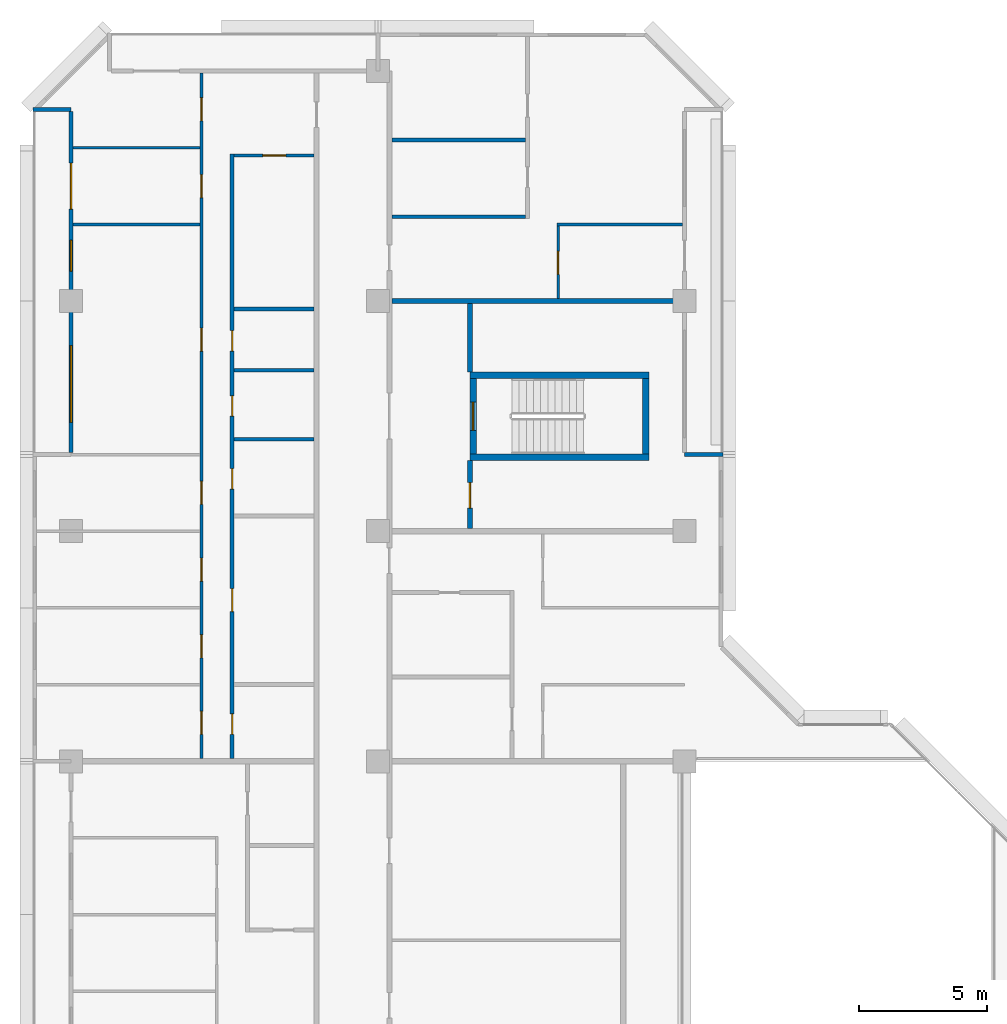
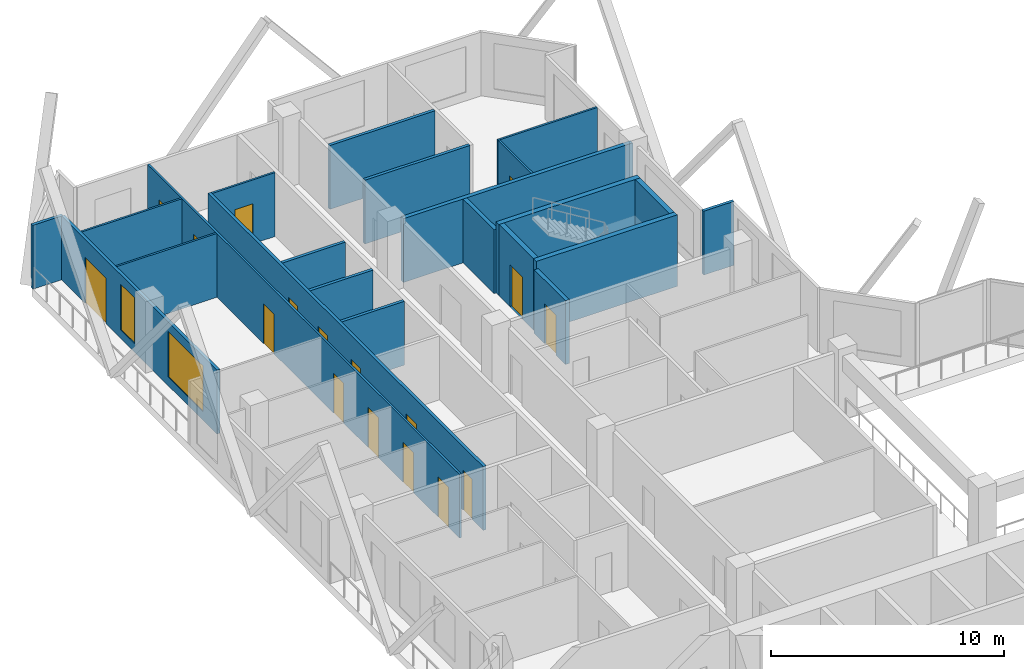
# One storey, part 10 of 14: 22 walls, 17 doors, 2 windows, 19 openings.
"""IFC4 building model written with IfcOpenShell, lengths in metres."""

from ifc_helpers import new_model, si_unit, direction, frame, frame_2d, origin, place, context, subcontext, project, spatial, rectangle, extrude, material, layer, layer_set, type_object, element, fill, save


model = new_model("IFC4")

# Units and contexts
model_context = context("Model", 3, precision=1e-05, world=origin(), true_north=direction((0.0, 1.0)))
body_context = subcontext(model_context, "Body", "Model", "MODEL_VIEW")
ifc_project = project(units=[si_unit("LENGTHUNIT", "METRE"), si_unit("AREAUNIT", "SQUARE_METRE"), si_unit("VOLUMEUNIT", "CUBIC_METRE"), si_unit("PLANEANGLEUNIT", "RADIAN"), si_unit("MASSUNIT", "GRAM", prefix="KILO")], contexts=[model_context])

# Site, building, storey
site_placement = place(None, origin())
site = spatial("IfcSite", under=ifc_project, at=site_placement, CompositionType="ELEMENT")
building_placement = place(site_placement, origin())
building = spatial("IfcBuilding", under=site, at=building_placement, Name="Chenar Terraces", CompositionType="ELEMENT")
storey_placement = place(building_placement, frame((0.0, 0.0, 157.39990234375)))
storey = spatial("IfcBuildingStorey", under=building, at=storey_placement, Name="L35", CompositionType="ELEMENT", Elevation=157.39990234375)

# Walls
ifc_material_1 = material(Name="Concrete C60/75", Category="concrete")
ifc_layer_1 = layer(ifc_material_1, 0.25)
ifc_layer_set_1 = layer_set([ifc_layer_1], Name="Concrete C60/75")
wall_type_1 = type_object("IfcWallType", Name="Core wall 250 Concrete C60/75", PredefinedType="SHEAR", material=ifc_layer_set_1)
for number, where, z_axis, x_axis, name in (
    (1, (15.60009765625, 47.89990234375, 0.0), (0.0, 0.0, 1.0), (1.0, 0.0, 0.0), "Core wall ST4_S L35"),
    (2, (15.60009765625, 51.10009765625, 0.0), (0.0, 0.0, 1.0), (1.0, 0.0, 0.0), "Core wall ST4_N L35"),
):
    element("IfcWall", number, at=place(storey_placement, frame(where, z_axis=z_axis, x_axis=x_axis)), inside=storey, type_object=wall_type_1, Name=name, PredefinedType="SHEAR", context=body_context, shape_type="SweptSolid", body=[
        extrude(rectangle(XDim=7.0, YDim=0.25, at=frame_2d((3.5, 0.0))), origin(), (0.0, 0.0, 1.0), 3.75),
    ])

# Wall, opening, door
wall_1_placement = place(storey_placement, frame((15.72509765625, 48.02490234375, 0.0), z_axis=(0.0, 0.0, 1.0), x_axis=(0.0, 1.0, 0.0)))
wall_1 = element("IfcWall", 3, at=wall_1_placement, inside=storey, type_object=wall_type_1, Name="Core wall ST4_W L35", PredefinedType="SHEAR", context=body_context, shape_type="SweptSolid", body=[
    extrude(rectangle(XDim=2.9501953125, YDim=0.25, at=frame_2d((1.47509765625, 0.0))), origin(), (0.0, 0.0, 1.0), 3.75),
])
opening_1_placement = place(wall_1_placement, frame((0.925048828125, 0.0, 0.0)))
opening_1 = element("IfcOpeningElement", 4, at=opening_1_placement, cuts=wall_1, Name="Opening DL35-C9", PredefinedType="OPENING", context=body_context, shape_type="SweptSolid", body=[
    extrude(rectangle(XDim=1.10009765625, YDim=2.199951171875, at=frame_2d((0.550048828125, 1.10009765625))), frame((0.0, 0.135009765625, 0.0), z_axis=(0.0, -1.0, 0.0), x_axis=(1.0, 0.0, 0.0)), (0.0, 0.0, 1.0), 0.27001953125),
])
ifc_material_2 = material(Name="Steel-framed fire-resisting door leaf", Category="steel")
door_type_1 = type_object("IfcDoorType", Name="Stair fire door FD60 1100 x 2200", OperationType="SINGLE_SWING_LEFT", PredefinedType="DOOR", material=ifc_material_2)
door_1_placement = place(opening_1_placement, frame((1.10009765625, 0.0, 0.0), z_axis=(0.0, 0.0, 1.0), x_axis=(-1.0, 0.0, 0.0)))
door_1 = element("IfcDoor", 5, at=door_1_placement, inside=storey, type_object=door_type_1, Name="Stair door DL35-C9", OperationType="SINGLE_SWING_RIGHT", OverallHeight=2.199951171875, OverallWidth=1.10009765625, PredefinedType="DOOR", context=body_context, shape_type="SweptSolid", body=[
    extrude(rectangle(XDim=1.10009765625, YDim=2.199951171875, at=frame_2d((0.550048828125, 1.10009765625))), frame((0.0, 0.02490234375, 0.0), z_axis=(0.0, -1.0, 0.0), x_axis=(1.0, 0.0, 0.0)), (0.0, 0.0, 1.0), 0.050048828125),
])
fill(opening_1, door_1)

# Wall
wall_2_placement = place(storey_placement, frame((22.47509765625, 48.02490234375, 0.0), z_axis=(0.0, 0.0, 1.0), x_axis=(0.0, 1.0, 0.0)))
element("IfcWall", 6, at=wall_2_placement, inside=storey, type_object=wall_type_1, Name="Core wall ST4_E L35", PredefinedType="SHEAR", context=body_context, shape_type="SweptSolid", body=[
    extrude(rectangle(XDim=2.9501953125, YDim=0.25, at=frame_2d((1.47509765625, 0.0))), origin(), (0.0, 0.0, 1.0), 3.75),
])

# Wall, opening, door
ifc_material_3 = material(Name="Gypsum board on steel studs with fire boards", Category="steel")
ifc_layer_2 = layer(ifc_material_3, 0.199951171875)
ifc_layer_set_2 = layer_set([ifc_layer_2], Name="Gypsum board on steel studs with fire boards")
wall_type_2 = type_object("IfcWallType", Name="Corridor wall 200", PredefinedType="PARTITIONING", material=ifc_layer_set_2)
wall_3_placement = place(storey_placement, frame((15.60009765625, 45.10009765625, 0.0), z_axis=(0.0, 0.0, 1.0), x_axis=(0.0, 1.0, 0.0)))
wall_3 = element("IfcWall", 7, at=wall_3_placement, inside=storey, type_object=wall_type_2, Name="Partition L35-042", PredefinedType="PARTITIONING", context=body_context, shape_type="SweptSolid", body=[
    extrude(rectangle(XDim=2.6748046875, YDim=0.199951171875, at=frame_2d((1.33740234375, 0.0))), origin(), (0.0, 0.0, 1.0), 3.35009765625),
])
opening_2_placement = place(wall_3_placement, frame((0.800048828125, 0.0, 0.0)))
opening_2 = element("IfcOpeningElement", 8, at=opening_2_placement, cuts=wall_3, Name="Opening DL35-40", PredefinedType="OPENING", context=body_context, shape_type="SweptSolid", body=[
    extrude(rectangle(XDim=1.0, YDim=2.10009765625, at=frame_2d((0.5, 1.050048828125))), frame((0.0, 0.10986328125, 0.0), z_axis=(0.0, -1.0, 0.0), x_axis=(1.0, 0.0, 0.0)), (0.0, 0.0, 1.0), 0.219970703125),
])
ifc_material_4 = material(Name="Steel-framed fire-resisting door leaf", Category="steel")
door_type_2 = type_object("IfcDoorType", Name="Fire door FD60 1000 x 2100", OperationType="SINGLE_SWING_LEFT", PredefinedType="DOOR", material=ifc_material_4)
door_2_placement = place(opening_2_placement, frame((1.0, 0.0, 0.0), z_axis=(0.0, 0.0, 1.0), x_axis=(-1.0, 0.0, 0.0)))
door_2 = element("IfcDoor", 9, at=door_2_placement, inside=storey, type_object=door_type_2, Name="Door DL35-40", OperationType="SINGLE_SWING_RIGHT", OverallHeight=2.10009765625, OverallWidth=1.0, PredefinedType="DOOR", context=body_context, shape_type="SweptSolid", body=[
    extrude(rectangle(XDim=1.0, YDim=2.10009765625, at=frame_2d((0.5, 1.050048828125))), frame((0.0, 0.02490234375, 0.0), z_axis=(0.0, -1.0, 0.0), x_axis=(1.0, 0.0, 0.0)), (0.0, 0.0, 1.0), 0.050048828125),
])
fill(opening_2, door_2)

# Wall
wall_4_placement = place(storey_placement, frame((15.60009765625, 51.22509765625, 0.0), z_axis=(0.0, 0.0, 1.0), x_axis=(0.0, 1.0, 0.0)))
element("IfcWall", 10, at=wall_4_placement, inside=storey, type_object=wall_type_2, Name="Partition L35-043", PredefinedType="PARTITIONING", context=body_context, shape_type="SweptSolid", body=[
    extrude(rectangle(XDim=2.6748046875, YDim=0.199951171875, at=frame_2d((1.33740234375, 0.0))), origin(), (0.0, 0.0, 1.0), 3.35009765625),
])

# Wall, openings, windows, door
ifc_material_5 = material(Name="Aluminium framed glazing", Category="aluminium")
ifc_layer_3 = layer(ifc_material_5, 0.14990234375)
ifc_layer_set_3 = layer_set([ifc_layer_3], Name="Aluminium framed glazing")
wall_type_3 = type_object("IfcWallType", Name="Glazed loggia back wall 150", PredefinedType="SOLIDWALL", material=ifc_layer_set_3)
wall_5_placement = place(storey_placement, frame((0.0, 61.425048828125, 0.0), z_axis=(0.0, 0.0, 1.0), x_axis=(0.0, -1.0, 0.0)))
wall_5 = element("IfcWall", 11, at=wall_5_placement, inside=storey, type_object=wall_type_3, Name="Glazed loggia back wall", PredefinedType="SOLIDWALL", context=body_context, shape_type="SweptSolid", body=[
    extrude(rectangle(XDim=13.35009765625, YDim=0.14990234375, at=frame_2d((6.675048828125, 0.0))), origin(), (0.0, 0.0, 1.0), 3.35009765625),
])
opening_3_placement = place(wall_5_placement, frame((2.02490234375, 0.0, 0.0)))
opening_3 = element("IfcOpeningElement", 12, at=opening_3_placement, cuts=wall_5, Name="Opening DL35-G4", PredefinedType="OPENING", context=body_context, shape_type="SweptSolid", body=[
    extrude(rectangle(XDim=1.800048828125, YDim=2.39990234375, at=frame_2d((0.89990234375, 1.199951171875))), frame((0.0, 0.0849609375, 0.0), z_axis=(0.0, -1.0, 0.0), x_axis=(1.0, 0.0, 0.0)), (0.0, 0.0, 1.0), 0.169921875),
])
opening_4_placement = place(wall_5_placement, frame((5.050048828125, 0.0, 0.449951171875)))
opening_4 = element("IfcOpeningElement", 13, at=opening_4_placement, cuts=wall_5, Name="Opening W120x240", PredefinedType="OPENING", context=body_context, shape_type="SweptSolid", body=[
    extrude(rectangle(XDim=1.199951171875, YDim=2.39990234375, at=frame_2d((0.60009765625, 1.199951171875))), frame((0.0, 0.0849609375, 0.0), z_axis=(0.0, -1.0, 0.0), x_axis=(1.0, 0.0, 0.0)), (0.0, 0.0, 1.0), 0.169921875),
])
opening_5_placement = place(wall_5_placement, frame((9.16259765625, 0.0, 0.449951171875)))
opening_5 = element("IfcOpeningElement", 14, at=opening_5_placement, cuts=wall_5, Name="Opening W300x240", PredefinedType="OPENING", context=body_context, shape_type="SweptSolid", body=[
    extrude(rectangle(XDim=3.0, YDim=2.39990234375, at=frame_2d((1.5, 1.199951171875))), frame((0.0, 0.0849609375, 0.0), z_axis=(0.0, -1.0, 0.0), x_axis=(1.0, 0.0, 0.0)), (0.0, 0.0, 1.0), 0.169921875),
])
ifc_material_6 = material(Name="Low emissivity double glazing, aluminium frame", Category="aluminium")
window_type_1 = type_object("IfcWindowType", Name="Fixed light 1200 x 2400", PartitioningType="SINGLE_PANEL", PredefinedType="WINDOW", material=ifc_material_6)
window_1_placement = place(opening_4_placement, origin())
window_1 = element("IfcWindow", 15, at=window_1_placement, inside=storey, type_object=window_type_1, Name="Window", OverallHeight=2.39990234375, OverallWidth=1.199951171875, PartitioningType="SINGLE_PANEL", PredefinedType="WINDOW", context=body_context, shape_type="SweptSolid", body=[
    extrude(rectangle(XDim=1.199951171875, YDim=2.39990234375, at=frame_2d((0.60009765625, 1.199951171875))), frame((0.0, 0.030029296875, 0.0), z_axis=(0.0, -1.0, 0.0), x_axis=(1.0, 0.0, 0.0)), (0.0, 0.0, 1.0), 0.06005859375),
])
fill(opening_4, window_1)
ifc_material_7 = material(Name="Low emissivity double glazing, aluminium frame", Category="aluminium")
window_type_2 = type_object("IfcWindowType", Name="Fixed light 3000 x 2400", PartitioningType="SINGLE_PANEL", PredefinedType="WINDOW", material=ifc_material_7)
window_2_placement = place(opening_5_placement, origin())
window_2 = element("IfcWindow", 16, at=window_2_placement, inside=storey, type_object=window_type_2, Name="Window", OverallHeight=2.39990234375, OverallWidth=3.0, PartitioningType="SINGLE_PANEL", PredefinedType="WINDOW", context=body_context, shape_type="SweptSolid", body=[
    extrude(rectangle(XDim=3.0, YDim=2.39990234375, at=frame_2d((1.5, 1.199951171875))), frame((0.0, 0.030029296875, 0.0), z_axis=(0.0, -1.0, 0.0), x_axis=(1.0, 0.0, 0.0)), (0.0, 0.0, 1.0), 0.06005859375),
])
fill(opening_5, window_2)
ifc_material_8 = material(Name="Low emissivity double glazing, aluminium frame", Category="aluminium")
door_type_3 = type_object("IfcDoorType", Name="Loggia glazed double door 1800 x 2400", OperationType="DOUBLE_DOOR_SINGLE_SWING", PredefinedType="DOOR", material=ifc_material_8)
door_3_placement = place(opening_3_placement, frame((1.800048828125, 0.0, 0.0), z_axis=(0.0, 0.0, 1.0), x_axis=(-1.0, 0.0, 0.0)))
door_3 = element("IfcDoor", 17, at=door_3_placement, inside=storey, type_object=door_type_3, Name="Loggia glazed door", OperationType="DOUBLE_DOOR_SINGLE_SWING", OverallHeight=2.39990234375, OverallWidth=1.800048828125, PredefinedType="DOOR", context=body_context, shape_type="SweptSolid", body=[
    extrude(rectangle(XDim=1.800048828125, YDim=2.39990234375, at=frame_2d((0.89990234375, 1.199951171875))), frame((0.0, 0.02490234375, 0.0), z_axis=(0.0, -1.0, 0.0), x_axis=(1.0, 0.0, 0.0)), (0.0, 0.0, 1.0), 0.050048828125),
])
fill(opening_3, door_3)

# Walls
ifc_material_9 = material(Name="Gypsum board on steel studs", Category="steel")
ifc_layer_4 = layer(ifc_material_9, 0.10009765625)
ifc_layer_set_4 = layer_set([ifc_layer_4], Name="Gypsum board on steel studs")
wall_type_4 = type_object("IfcWallType", Name="Gypsum partition 100", PredefinedType="PARTITIONING", material=ifc_layer_set_4)
for number, where, z_axis, x_axis, name in (
    (18, (0.073974609375, 57.0, 0.0), (0.0, 0.0, 1.0), (1.0, 0.0, 0.0), "Partition L35-011"),
    (19, (0.073974609375, 60.0, 0.0), (0.0, 0.0, 1.0), (1.0, 0.0, 0.0), "Partition L35-012"),
):
    element("IfcWall", number, at=place(storey_placement, frame(where, z_axis=z_axis, x_axis=x_axis)), inside=storey, type_object=wall_type_4, Name=name, PredefinedType="PARTITIONING", context=body_context, shape_type="SweptSolid", body=[
        extrude(rectangle(XDim=4.97607421875, YDim=0.10009765625, at=frame_2d((2.488037109375, 0.0))), origin(), (0.0, 0.0, 1.0), 3.35009765625),
    ])

# Wall, openings, doors
wall_6_placement = place(storey_placement, frame((5.10009765625, 36.10009765625, 0.0), z_axis=(0.0, 0.0, 1.0), x_axis=(0.0, 1.0, 0.0)))
wall_6 = element("IfcWall", 20, at=wall_6_placement, inside=storey, type_object=wall_type_4, Name="Partition L35-014", PredefinedType="PARTITIONING", context=body_context, shape_type="SweptSolid", body=[
    extrude(rectangle(XDim=26.825927734375, YDim=0.10009765625, at=frame_2d((13.4130859375, 0.0))), origin(), (0.0, 0.0, 1.0), 3.35009765625),
])
opening_6_placement = place(wall_6_placement, frame((0.949951171875, 0.0, 0.0)))
opening_6 = element("IfcOpeningElement", 21, at=opening_6_placement, cuts=wall_6, Name="Opening DL35-22", PredefinedType="OPENING", context=body_context, shape_type="SweptSolid", body=[
    extrude(rectangle(XDim=0.89990234375, YDim=2.10009765625, at=frame_2d((0.449951171875, 1.050048828125))), frame((0.0, 0.06005859375, 0.0), z_axis=(0.0, -1.0, 0.0), x_axis=(1.0, 0.0, 0.0)), (0.0, 0.0, 1.0), 0.1201171875),
])
opening_7_placement = place(wall_6_placement, frame((3.949951171875, 0.0, 0.0)))
opening_7 = element("IfcOpeningElement", 22, at=opening_7_placement, cuts=wall_6, Name="Opening DL35-23", PredefinedType="OPENING", context=body_context, shape_type="SweptSolid", body=[
    extrude(rectangle(XDim=0.89990234375, YDim=2.10009765625, at=frame_2d((0.449951171875, 1.050048828125))), frame((0.0, 0.06005859375, 0.0), z_axis=(0.0, -1.0, 0.0), x_axis=(1.0, 0.0, 0.0)), (0.0, 0.0, 1.0), 0.1201171875),
])
opening_8_placement = place(wall_6_placement, frame((6.949951171875, 0.0, 0.0)))
opening_8 = element("IfcOpeningElement", 23, at=opening_8_placement, cuts=wall_6, Name="Opening DL35-24", PredefinedType="OPENING", context=body_context, shape_type="SweptSolid", body=[
    extrude(rectangle(XDim=0.89990234375, YDim=2.10009765625, at=frame_2d((0.449951171875, 1.050048828125))), frame((0.0, 0.06005859375, 0.0), z_axis=(0.0, -1.0, 0.0), x_axis=(1.0, 0.0, 0.0)), (0.0, 0.0, 1.0), 0.1201171875),
])
opening_9_placement = place(wall_6_placement, frame((9.949951171875, 0.0, 0.0)))
opening_9 = element("IfcOpeningElement", 24, at=opening_9_placement, cuts=wall_6, Name="Opening DL35-25", PredefinedType="OPENING", context=body_context, shape_type="SweptSolid", body=[
    extrude(rectangle(XDim=0.89990234375, YDim=2.10009765625, at=frame_2d((0.449951171875, 1.050048828125))), frame((0.0, 0.06005859375, 0.0), z_axis=(0.0, -1.0, 0.0), x_axis=(1.0, 0.0, 0.0)), (0.0, 0.0, 1.0), 0.1201171875),
])
opening_10_placement = place(wall_6_placement, frame((21.949951171875, 0.0, 0.0)))
opening_10 = element("IfcOpeningElement", 25, at=opening_10_placement, cuts=wall_6, Name="Opening DL35-26", PredefinedType="OPENING", context=body_context, shape_type="SweptSolid", body=[
    extrude(rectangle(XDim=0.89990234375, YDim=2.10009765625, at=frame_2d((0.449951171875, 1.050048828125))), frame((0.0, 0.06005859375, 0.0), z_axis=(0.0, -1.0, 0.0), x_axis=(1.0, 0.0, 0.0)), (0.0, 0.0, 1.0), 0.1201171875),
])
opening_11_placement = place(wall_6_placement, frame((15.949951171875, 0.0, 0.0)))
opening_11 = element("IfcOpeningElement", 26, at=opening_11_placement, cuts=wall_6, Name="Opening DL35-31", PredefinedType="OPENING", context=body_context, shape_type="SweptSolid", body=[
    extrude(rectangle(XDim=0.89990234375, YDim=2.10009765625, at=frame_2d((0.449951171875, 1.050048828125))), frame((0.0, 0.06005859375, 0.0), z_axis=(0.0, -1.0, 0.0), x_axis=(1.0, 0.0, 0.0)), (0.0, 0.0, 1.0), 0.1201171875),
])
opening_12_placement = place(wall_6_placement, frame((24.949951171875, 0.0, 0.0)))
opening_12 = element("IfcOpeningElement", 27, at=opening_12_placement, cuts=wall_6, Name="Opening DL35-32", PredefinedType="OPENING", context=body_context, shape_type="SweptSolid", body=[
    extrude(rectangle(XDim=0.89990234375, YDim=2.10009765625, at=frame_2d((0.449951171875, 1.050048828125))), frame((0.0, 0.06005859375, 0.0), z_axis=(0.0, -1.0, 0.0), x_axis=(1.0, 0.0, 0.0)), (0.0, 0.0, 1.0), 0.1201171875),
])
ifc_material_10 = material(Name="Veneered timber door leaf", Category="wood")
door_type_4 = type_object("IfcDoorType", Name="Door 900 x 2100", OperationType="SINGLE_SWING_LEFT", PredefinedType="DOOR", material=ifc_material_10)
door_4_placement = place(opening_6_placement, origin())
door_4 = element("IfcDoor", 28, at=door_4_placement, inside=storey, type_object=door_type_4, Name="Door DL35-22", OperationType="SINGLE_SWING_RIGHT", OverallHeight=2.10009765625, OverallWidth=0.89990234375, PredefinedType="DOOR", context=body_context, shape_type="SweptSolid", body=[
    extrude(rectangle(XDim=0.89990234375, YDim=2.10009765625, at=frame_2d((0.449951171875, 1.050048828125))), frame((0.0, 0.02490234375, 0.0), z_axis=(0.0, -1.0, 0.0), x_axis=(1.0, 0.0, 0.0)), (0.0, 0.0, 1.0), 0.050048828125),
])
fill(opening_6, door_4)
door_5_placement = place(opening_7_placement, origin())
door_5 = element("IfcDoor", 29, at=door_5_placement, inside=storey, type_object=door_type_4, Name="Door DL35-23", OperationType="SINGLE_SWING_RIGHT", OverallHeight=2.10009765625, OverallWidth=0.89990234375, PredefinedType="DOOR", context=body_context, shape_type="SweptSolid", body=[
    extrude(rectangle(XDim=0.89990234375, YDim=2.10009765625, at=frame_2d((0.449951171875, 1.050048828125))), frame((0.0, 0.02490234375, 0.0), z_axis=(0.0, -1.0, 0.0), x_axis=(1.0, 0.0, 0.0)), (0.0, 0.0, 1.0), 0.050048828125),
])
fill(opening_7, door_5)
door_6_placement = place(opening_8_placement, origin())
door_6 = element("IfcDoor", 30, at=door_6_placement, inside=storey, type_object=door_type_4, Name="Door DL35-24", OperationType="SINGLE_SWING_RIGHT", OverallHeight=2.10009765625, OverallWidth=0.89990234375, PredefinedType="DOOR", context=body_context, shape_type="SweptSolid", body=[
    extrude(rectangle(XDim=0.89990234375, YDim=2.10009765625, at=frame_2d((0.449951171875, 1.050048828125))), frame((0.0, 0.02490234375, 0.0), z_axis=(0.0, -1.0, 0.0), x_axis=(1.0, 0.0, 0.0)), (0.0, 0.0, 1.0), 0.050048828125),
])
fill(opening_8, door_6)
door_7_placement = place(opening_9_placement, origin())
door_7 = element("IfcDoor", 31, at=door_7_placement, inside=storey, type_object=door_type_4, Name="Door DL35-25", OperationType="SINGLE_SWING_RIGHT", OverallHeight=2.10009765625, OverallWidth=0.89990234375, PredefinedType="DOOR", context=body_context, shape_type="SweptSolid", body=[
    extrude(rectangle(XDim=0.89990234375, YDim=2.10009765625, at=frame_2d((0.449951171875, 1.050048828125))), frame((0.0, 0.02490234375, 0.0), z_axis=(0.0, -1.0, 0.0), x_axis=(1.0, 0.0, 0.0)), (0.0, 0.0, 1.0), 0.050048828125),
])
fill(opening_9, door_7)
door_8_placement = place(opening_10_placement, origin())
door_8 = element("IfcDoor", 32, at=door_8_placement, inside=storey, type_object=door_type_4, Name="Door DL35-26", OperationType="SINGLE_SWING_RIGHT", OverallHeight=2.10009765625, OverallWidth=0.89990234375, PredefinedType="DOOR", context=body_context, shape_type="SweptSolid", body=[
    extrude(rectangle(XDim=0.89990234375, YDim=2.10009765625, at=frame_2d((0.449951171875, 1.050048828125))), frame((0.0, 0.02490234375, 0.0), z_axis=(0.0, -1.0, 0.0), x_axis=(1.0, 0.0, 0.0)), (0.0, 0.0, 1.0), 0.050048828125),
])
fill(opening_10, door_8)
door_9_placement = place(opening_11_placement, frame((0.89990234375, 0.0, 0.0), z_axis=(0.0, 0.0, 1.0), x_axis=(-1.0, 0.0, 0.0)))
door_9 = element("IfcDoor", 33, at=door_9_placement, inside=storey, type_object=door_type_4, Name="Door DL35-31", OperationType="SINGLE_SWING_LEFT", OverallHeight=2.10009765625, OverallWidth=0.89990234375, PredefinedType="DOOR", context=body_context, shape_type="SweptSolid", body=[
    extrude(rectangle(XDim=0.89990234375, YDim=2.10009765625, at=frame_2d((0.449951171875, 1.050048828125))), frame((0.0, 0.02490234375, 0.0), z_axis=(0.0, -1.0, 0.0), x_axis=(1.0, 0.0, 0.0)), (0.0, 0.0, 1.0), 0.050048828125),
])
fill(opening_11, door_9)
door_10_placement = place(opening_12_placement, origin())
door_10 = element("IfcDoor", 34, at=door_10_placement, inside=storey, type_object=door_type_4, Name="Door DL35-32", OperationType="SINGLE_SWING_RIGHT", OverallHeight=2.10009765625, OverallWidth=0.89990234375, PredefinedType="DOOR", context=body_context, shape_type="SweptSolid", body=[
    extrude(rectangle(XDim=0.89990234375, YDim=2.10009765625, at=frame_2d((0.449951171875, 1.050048828125))), frame((0.0, 0.02490234375, 0.0), z_axis=(0.0, -1.0, 0.0), x_axis=(1.0, 0.0, 0.0)), (0.0, 0.0, 1.0), 0.050048828125),
])
fill(opening_12, door_10)

# Wall, opening, door
wall_7_placement = place(storey_placement, frame((6.375, 59.699951171875, 0.0), z_axis=(0.0, 0.0, 1.0), x_axis=(1.0, 0.0, 0.0)))
wall_7 = element("IfcWall", 35, at=wall_7_placement, inside=storey, type_object=wall_type_4, Name="Partition L35-022", PredefinedType="PARTITIONING", context=body_context, shape_type="SweptSolid", body=[
    extrude(rectangle(XDim=3.125, YDim=0.10009765625, at=frame_2d((1.5625, 0.0))), origin(), (0.0, 0.0, 1.0), 3.35009765625),
])
opening_13_placement = place(wall_7_placement, frame((1.125, 0.0, 0.0)))
opening_13 = element("IfcOpeningElement", 36, at=opening_13_placement, cuts=wall_7, Name="Opening DL35-27", PredefinedType="OPENING", context=body_context, shape_type="SweptSolid", body=[
    extrude(rectangle(XDim=0.89990234375, YDim=2.10009765625, at=frame_2d((0.449951171875, 1.050048828125))), frame((0.0, 0.06005859375, 0.0), z_axis=(0.0, -1.0, 0.0), x_axis=(1.0, 0.0, 0.0)), (0.0, 0.0, 1.0), 0.1201171875),
])
door_11_placement = place(opening_13_placement, frame((0.89990234375, 0.0, 0.0), z_axis=(0.0, 0.0, 1.0), x_axis=(-1.0, 0.0, 0.0)))
door_11 = element("IfcDoor", 37, at=door_11_placement, inside=storey, type_object=door_type_4, Name="Door DL35-27", OperationType="SINGLE_SWING_RIGHT", OverallHeight=2.10009765625, OverallWidth=0.89990234375, PredefinedType="DOOR", context=body_context, shape_type="SweptSolid", body=[
    extrude(rectangle(XDim=0.89990234375, YDim=2.10009765625, at=frame_2d((0.449951171875, 1.050048828125))), frame((0.0, 0.02490234375, 0.0), z_axis=(0.0, -1.0, 0.0), x_axis=(1.0, 0.0, 0.0)), (0.0, 0.0, 1.0), 0.050048828125),
])
fill(opening_13, door_11)

# Wall
wall_8_placement = place(storey_placement, frame((19.0, 57.0, 0.0), z_axis=(0.0, 0.0, 1.0), x_axis=(1.0, 0.0, 0.0)))
element("IfcWall", 38, at=wall_8_placement, inside=storey, type_object=wall_type_4, Name="Partition L35-050", PredefinedType="PARTITIONING", context=body_context, shape_type="SweptSolid", body=[
    extrude(rectangle(XDim=4.926025390625, YDim=0.10009765625, at=frame_2d((2.462890625, 0.0))), origin(), (0.0, 0.0, 1.0), 3.35009765625),
])

# Wall, opening, door
wall_9_placement = place(storey_placement, frame((19.050048828125, 54.10009765625, 0.0), z_axis=(0.0, 0.0, 1.0), x_axis=(0.0, 1.0, 0.0)))
wall_9 = element("IfcWall", 39, at=wall_9_placement, inside=storey, type_object=wall_type_4, Name="Partition L35-051", PredefinedType="PARTITIONING", context=body_context, shape_type="SweptSolid", body=[
    extrude(rectangle(XDim=2.849853515625, YDim=0.10009765625, at=frame_2d((1.4248046875, 0.0))), origin(), (0.0, 0.0, 1.0), 3.35009765625),
])
opening_14_placement = place(wall_9_placement, frame((0.949951171875, 0.0, 0.0)))
opening_14 = element("IfcOpeningElement", 40, at=opening_14_placement, cuts=wall_9, Name="Opening DL35-18", PredefinedType="OPENING", context=body_context, shape_type="SweptSolid", body=[
    extrude(rectangle(XDim=0.89990234375, YDim=2.10009765625, at=frame_2d((0.449951171875, 1.050048828125))), frame((0.0, 0.06005859375, 0.0), z_axis=(0.0, -1.0, 0.0), x_axis=(1.0, 0.0, 0.0)), (0.0, 0.0, 1.0), 0.1201171875),
])
door_12_placement = place(opening_14_placement, frame((0.89990234375, 0.0, 0.0), z_axis=(0.0, 0.0, 1.0), x_axis=(-1.0, 0.0, 0.0)))
door_12 = element("IfcDoor", 41, at=door_12_placement, inside=storey, type_object=door_type_4, Name="Door DL35-18", OperationType="SINGLE_SWING_LEFT", OverallHeight=2.10009765625, OverallWidth=0.89990234375, PredefinedType="DOOR", context=body_context, shape_type="SweptSolid", body=[
    extrude(rectangle(XDim=0.89990234375, YDim=2.10009765625, at=frame_2d((0.449951171875, 1.050048828125))), frame((0.0, 0.02490234375, 0.0), z_axis=(0.0, -1.0, 0.0), x_axis=(1.0, 0.0, 0.0)), (0.0, 0.0, 1.0), 0.050048828125),
])
fill(opening_14, door_12)

# Walls
ifc_material_11 = material(Name="Terracotta cladding on insulated backing", Category="masonry")
ifc_layer_5 = layer(ifc_material_11, 0.14990234375)
ifc_layer_set_5 = layer_set([ifc_layer_5], Name="Terracotta cladding on insulated backing")
wall_type_5 = type_object("IfcWallType", Name="Loggia return wall 150", PredefinedType="SOLIDWALL", material=ifc_layer_set_5)
for number, where, z_axis, x_axis, name in (
    (42, (25.5, 48.0, 0.0), (0.0, 0.0, 1.0), (-1.0, 0.0, 0.0), "Loggia return wall"),
    (43, (-1.5, 61.5, 0.0), (0.0, 0.0, 1.0), (1.0, 0.0, 0.0), "Loggia return wall"),
):
    element("IfcWall", number, at=place(storey_placement, frame(where, z_axis=z_axis, x_axis=x_axis)), inside=storey, type_object=wall_type_5, Name=name, PredefinedType="SOLIDWALL", context=body_context, shape_type="SweptSolid", body=[
        extrude(rectangle(XDim=1.5, YDim=0.14990234375, at=frame_2d((0.75, 0.0))), origin(), (0.0, 0.0, 1.0), 3.35009765625),
    ])
ifc_material_12 = material(Name="Twin gypsum board on steel studs with mineral wool", Category="steel")
ifc_layer_6 = layer(ifc_material_12, 0.199951171875)
ifc_layer_set_6 = layer_set([ifc_layer_6], Name="Twin gypsum board on steel studs with mineral wool")
wall_type_6 = type_object("IfcWallType", Name="Unit demising wall 200", PredefinedType="PARTITIONING", material=ifc_layer_set_6)
wall_10_placement = place(storey_placement, frame((12.550048828125, 54.0, 0.0), z_axis=(0.0, 0.0, 1.0), x_axis=(1.0, 0.0, 0.0)))
element("IfcWall", 44, at=wall_10_placement, inside=storey, type_object=wall_type_6, Name="Partition L35-038", PredefinedType="PARTITIONING", context=body_context, shape_type="SweptSolid", body=[
    extrude(rectangle(XDim=11.3759765625, YDim=0.199951171875, at=frame_2d((5.68798828125, 0.0))), origin(), (0.0, 0.0, 1.0), 3.35009765625),
])

# Wall, openings, doors
ifc_material_13 = material(Name="Moisture-resistant gypsum board on steel studs", Category="steel")
ifc_layer_7 = layer(ifc_material_13, 0.14990234375)
ifc_layer_set_7 = layer_set([ifc_layer_7], Name="Moisture-resistant gypsum board on steel studs")
wall_type_7 = type_object("IfcWallType", Name="Wet-room partition 150", PredefinedType="PARTITIONING", material=ifc_layer_set_7)
wall_11_placement = place(storey_placement, frame((6.300048828125, 36.10009765625, 0.0), z_axis=(0.0, 0.0, 1.0), x_axis=(0.0, 1.0, 0.0)))
wall_11 = element("IfcWall", 45, at=wall_11_placement, inside=storey, type_object=wall_type_7, Name="Partition L35-016", PredefinedType="PARTITIONING", context=body_context, shape_type="SweptSolid", body=[
    extrude(rectangle(XDim=23.64990234375, YDim=0.14990234375, at=frame_2d((11.824951171875, 0.0))), origin(), (0.0, 0.0, 1.0), 3.35009765625),
])
opening_15_placement = place(wall_11_placement, frame((15.949951171875, 0.0, 0.0)))
opening_15 = element("IfcOpeningElement", 46, at=opening_15_placement, cuts=wall_11, Name="Opening DL35-21", PredefinedType="OPENING", context=body_context, shape_type="SweptSolid", body=[
    extrude(rectangle(XDim=0.800048828125, YDim=2.10009765625, at=frame_2d((0.39990234375, 1.050048828125))), frame((0.0, 0.0849609375, 0.0), z_axis=(0.0, -1.0, 0.0), x_axis=(1.0, 0.0, 0.0)), (0.0, 0.0, 1.0), 0.169921875),
])
opening_16_placement = place(wall_11_placement, frame((5.75, 0.0, 0.0)))
opening_16 = element("IfcOpeningElement", 47, at=opening_16_placement, cuts=wall_11, Name="Opening DL35-29", PredefinedType="OPENING", context=body_context, shape_type="SweptSolid", body=[
    extrude(rectangle(XDim=0.89990234375, YDim=2.10009765625, at=frame_2d((0.449951171875, 1.050048828125))), frame((0.0, 0.0849609375, 0.0), z_axis=(0.0, -1.0, 0.0), x_axis=(1.0, 0.0, 0.0)), (0.0, 0.0, 1.0), 0.169921875),
])
opening_17_placement = place(wall_11_placement, frame((0.949951171875, 0.0, 0.0)))
opening_17 = element("IfcOpeningElement", 48, at=opening_17_placement, cuts=wall_11, Name="Opening DL35-30", PredefinedType="OPENING", context=body_context, shape_type="SweptSolid", body=[
    extrude(rectangle(XDim=0.800048828125, YDim=2.10009765625, at=frame_2d((0.39990234375, 1.050048828125))), frame((0.0, 0.0849609375, 0.0), z_axis=(0.0, -1.0, 0.0), x_axis=(1.0, 0.0, 0.0)), (0.0, 0.0, 1.0), 0.169921875),
])
opening_18_placement = place(wall_11_placement, frame((10.550048828125, 0.0, 0.0)))
opening_18 = element("IfcOpeningElement", 49, at=opening_18_placement, cuts=wall_11, Name="Opening DL35-33", PredefinedType="OPENING", context=body_context, shape_type="SweptSolid", body=[
    extrude(rectangle(XDim=0.800048828125, YDim=2.10009765625, at=frame_2d((0.39990234375, 1.050048828125))), frame((0.0, 0.0849609375, 0.0), z_axis=(0.0, -1.0, 0.0), x_axis=(1.0, 0.0, 0.0)), (0.0, 0.0, 1.0), 0.169921875),
])
opening_19_placement = place(wall_11_placement, frame((13.39990234375, 0.0, 0.0)))
opening_19 = element("IfcOpeningElement", 50, at=opening_19_placement, cuts=wall_11, Name="Opening DL35-34", PredefinedType="OPENING", context=body_context, shape_type="SweptSolid", body=[
    extrude(rectangle(XDim=0.800048828125, YDim=2.10009765625, at=frame_2d((0.39990234375, 1.050048828125))), frame((0.0, 0.0849609375, 0.0), z_axis=(0.0, -1.0, 0.0), x_axis=(1.0, 0.0, 0.0)), (0.0, 0.0, 1.0), 0.169921875),
])
ifc_material_14 = material(Name="Veneered timber door leaf", Category="wood")
door_type_5 = type_object("IfcDoorType", Name="Door 800 x 2100", OperationType="SINGLE_SWING_LEFT", PredefinedType="DOOR", material=ifc_material_14)
door_13_placement = place(opening_15_placement, frame((0.800048828125, 0.0, 0.0), z_axis=(0.0, 0.0, 1.0), x_axis=(-1.0, 0.0, 0.0)))
door_13 = element("IfcDoor", 51, at=door_13_placement, inside=storey, type_object=door_type_5, Name="Door DL35-21", OperationType="SINGLE_SWING_RIGHT", OverallHeight=2.10009765625, OverallWidth=0.800048828125, PredefinedType="DOOR", context=body_context, shape_type="SweptSolid", body=[
    extrude(rectangle(XDim=0.800048828125, YDim=2.10009765625, at=frame_2d((0.39990234375, 1.050048828125))), frame((0.0, 0.02490234375, 0.0), z_axis=(0.0, -1.0, 0.0), x_axis=(1.0, 0.0, 0.0)), (0.0, 0.0, 1.0), 0.050048828125),
])
fill(opening_15, door_13)
door_14_placement = place(opening_17_placement, frame((0.800048828125, 0.0, 0.0), z_axis=(0.0, 0.0, 1.0), x_axis=(-1.0, 0.0, 0.0)))
door_14 = element("IfcDoor", 52, at=door_14_placement, inside=storey, type_object=door_type_5, Name="Door DL35-30", OperationType="SINGLE_SWING_RIGHT", OverallHeight=2.10009765625, OverallWidth=0.800048828125, PredefinedType="DOOR", context=body_context, shape_type="SweptSolid", body=[
    extrude(rectangle(XDim=0.800048828125, YDim=2.10009765625, at=frame_2d((0.39990234375, 1.050048828125))), frame((0.0, 0.02490234375, 0.0), z_axis=(0.0, -1.0, 0.0), x_axis=(1.0, 0.0, 0.0)), (0.0, 0.0, 1.0), 0.050048828125),
])
fill(opening_17, door_14)
door_15_placement = place(opening_18_placement, frame((0.800048828125, 0.0, 0.0), z_axis=(0.0, 0.0, 1.0), x_axis=(-1.0, 0.0, 0.0)))
door_15 = element("IfcDoor", 53, at=door_15_placement, inside=storey, type_object=door_type_5, Name="Door DL35-33", OperationType="SINGLE_SWING_RIGHT", OverallHeight=2.10009765625, OverallWidth=0.800048828125, PredefinedType="DOOR", context=body_context, shape_type="SweptSolid", body=[
    extrude(rectangle(XDim=0.800048828125, YDim=2.10009765625, at=frame_2d((0.39990234375, 1.050048828125))), frame((0.0, 0.02490234375, 0.0), z_axis=(0.0, -1.0, 0.0), x_axis=(1.0, 0.0, 0.0)), (0.0, 0.0, 1.0), 0.050048828125),
])
fill(opening_18, door_15)
door_16_placement = place(opening_19_placement, frame((0.800048828125, 0.0, 0.0), z_axis=(0.0, 0.0, 1.0), x_axis=(-1.0, 0.0, 0.0)))
door_16 = element("IfcDoor", 54, at=door_16_placement, inside=storey, type_object=door_type_5, Name="Door DL35-34", OperationType="SINGLE_SWING_RIGHT", OverallHeight=2.10009765625, OverallWidth=0.800048828125, PredefinedType="DOOR", context=body_context, shape_type="SweptSolid", body=[
    extrude(rectangle(XDim=0.800048828125, YDim=2.10009765625, at=frame_2d((0.39990234375, 1.050048828125))), frame((0.0, 0.02490234375, 0.0), z_axis=(0.0, -1.0, 0.0), x_axis=(1.0, 0.0, 0.0)), (0.0, 0.0, 1.0), 0.050048828125),
])
fill(opening_19, door_16)
door_17_placement = place(opening_16_placement, frame((0.89990234375, 0.0, 0.0), z_axis=(0.0, 0.0, 1.0), x_axis=(-1.0, 0.0, 0.0)))
door_17 = element("IfcDoor", 55, at=door_17_placement, inside=storey, type_object=door_type_4, Name="Door DL35-29", OperationType="SINGLE_SWING_LEFT", OverallHeight=2.10009765625, OverallWidth=0.89990234375, PredefinedType="DOOR", context=body_context, shape_type="SweptSolid", body=[
    extrude(rectangle(XDim=0.89990234375, YDim=2.10009765625, at=frame_2d((0.449951171875, 1.050048828125))), frame((0.0, 0.02490234375, 0.0), z_axis=(0.0, -1.0, 0.0), x_axis=(1.0, 0.0, 0.0)), (0.0, 0.0, 1.0), 0.050048828125),
])
fill(opening_16, door_17)

# Walls
for number, where, z_axis, x_axis, name in (
    (56, (6.375, 48.60009765625, 0.0), (0.0, 0.0, 1.0), (1.0, 0.0, 0.0), "Partition L35-019"),
    (57, (6.375, 51.300048828125, 0.0), (0.0, 0.0, 1.0), (1.0, 0.0, 0.0), "Partition L35-020"),
    (58, (6.375, 53.699951171875, 0.0), (0.0, 0.0, 1.0), (1.0, 0.0, 0.0), "Partition L35-021"),
):
    element("IfcWall", number, at=place(storey_placement, frame(where, z_axis=z_axis, x_axis=x_axis)), inside=storey, type_object=wall_type_7, Name=name, PredefinedType="PARTITIONING", context=body_context, shape_type="SweptSolid", body=[
        extrude(rectangle(XDim=3.125, YDim=0.14990234375, at=frame_2d((1.5625, 0.0))), origin(), (0.0, 0.0, 1.0), 3.35009765625),
    ])
for number, where, z_axis, x_axis, name in (
    (59, (12.550048828125, 57.300048828125, 0.0), (0.0, 0.0, 1.0), (1.0, 0.0, 0.0), "Partition L35-039"),
    (60, (12.550048828125, 60.300048828125, 0.0), (0.0, 0.0, 1.0), (1.0, 0.0, 0.0), "Partition L35-040"),
):
    element("IfcWall", number, at=place(storey_placement, frame(where, z_axis=z_axis, x_axis=x_axis)), inside=storey, type_object=wall_type_7, Name=name, PredefinedType="PARTITIONING", context=body_context, shape_type="SweptSolid", body=[
        extrude(rectangle(XDim=5.224853515625, YDim=0.14990234375, at=frame_2d((2.6123046875, 0.0))), origin(), (0.0, 0.0, 1.0), 3.35009765625),
    ])

save(model, "model.ifc")
